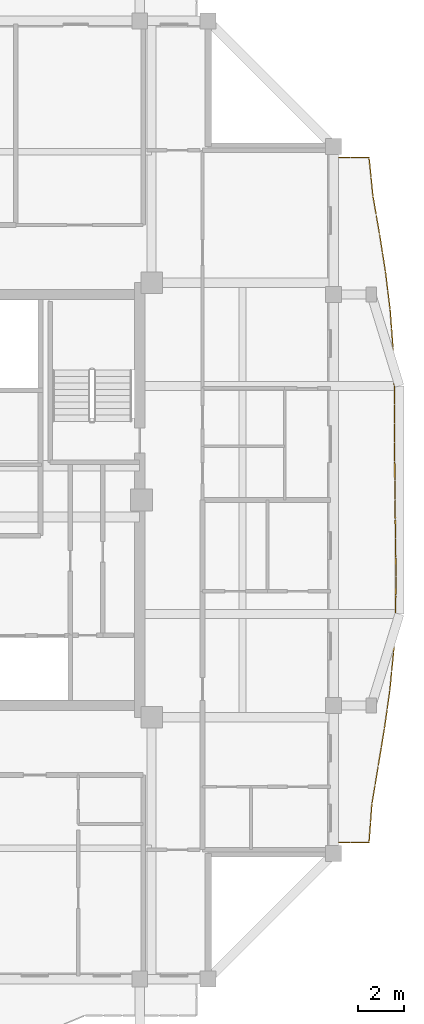
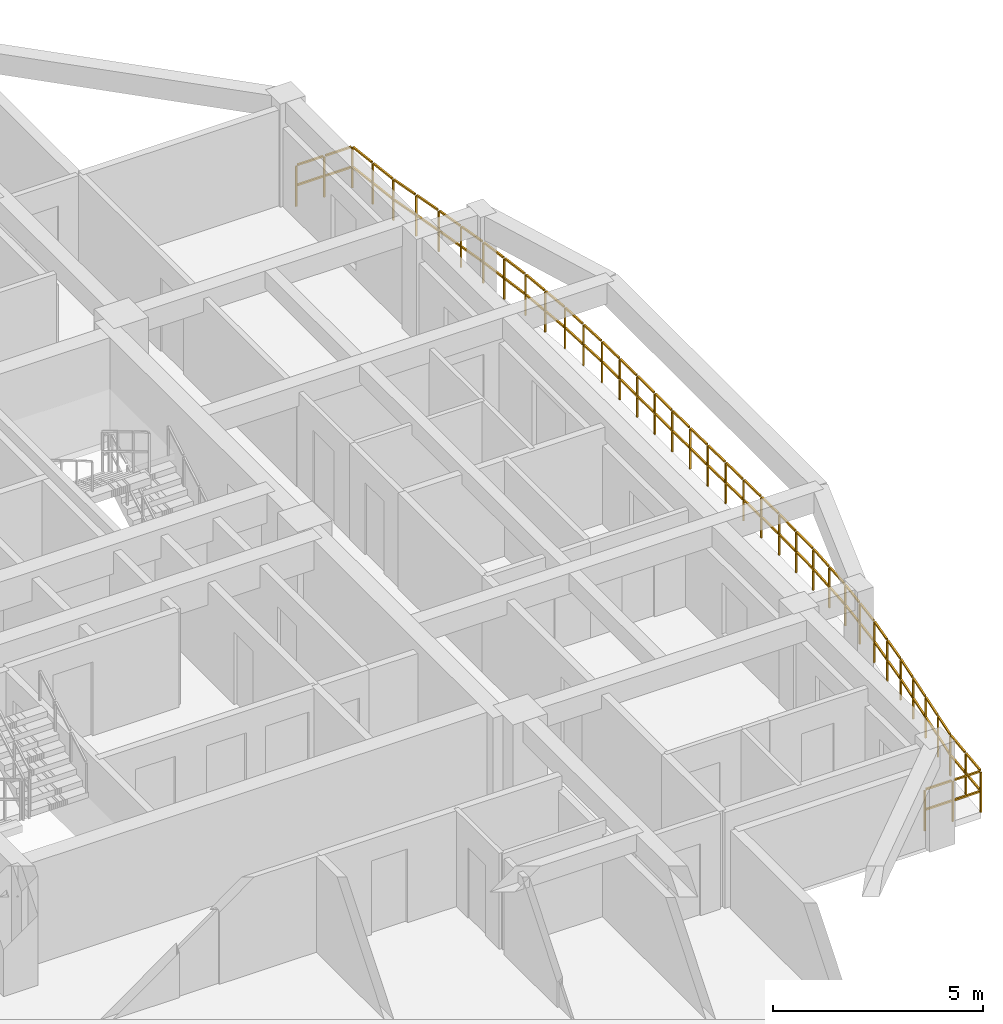
# One storey, part 11 of 12: 1 railing.
"""IFC4 building model written with IfcOpenShell, lengths in metres."""

from ifc_helpers import new_model, si_unit, direction, frame, origin, origin_2d, place, context, subcontext, project, spatial, rectangle, extrude, material, type_object, element, save


model = new_model("IFC4")

# Units and contexts
model_context = context("Model", 3, precision=1e-05, world=origin(), true_north=direction((0.0, 1.0)))
body_context = subcontext(model_context, "Body", "Model", "MODEL_VIEW")
ifc_project = project(units=[si_unit("LENGTHUNIT", "METRE"), si_unit("AREAUNIT", "SQUARE_METRE"), si_unit("VOLUMEUNIT", "CUBIC_METRE"), si_unit("PLANEANGLEUNIT", "RADIAN"), si_unit("MASSUNIT", "GRAM", prefix="KILO")], contexts=[model_context])

# Site, building, storey
site_placement = place(None, origin())
site = spatial("IfcSite", under=ifc_project, at=site_placement, CompositionType="ELEMENT")
building_placement = place(site_placement, origin())
building = spatial("IfcBuilding", under=site, at=building_placement, Name="Saelheon Loggia Tower", CompositionType="ELEMENT")
storey_placement = place(building_placement, frame((0.0, 0.0, 240.0)))
storey = spatial("IfcBuildingStorey", under=building, at=storey_placement, Name="L74", CompositionType="ELEMENT", Elevation=240.0)

# Railing
ifc_material = material(Name="Architectural Precast Concrete and Laminated Glass Guard", Category="concrete")
railing_type = type_object("IfcRailingType", Name="Guard_Loggia_RL_LOG", PredefinedType="BALUSTRADE", material=ifc_material)
railing_placement = place(storey_placement, frame((53.0, 12.0, 0.0)))
element("IfcRailing", 1, at=railing_placement, inside=storey, type_object=railing_type, Name="L74 East Loggia Balustrade", PredefinedType="BALUSTRADE", context=body_context, shape_type="SweptSolid", body=[
    extrude(rectangle(XDim=0.048095703125, YDim=0.048095703125, at=origin_2d()), frame((0.033203125, 0.0, 1.19580078125), z_axis=(1.0, 0.0, 0.0), x_axis=(0.0, 1.0, 0.0)), (0.0, 0.0, 1.0), 0.70849609375),
    extrude(rectangle(XDim=0.048095703125, YDim=0.048095703125, at=origin_2d()), frame((0.033203125, 0.0, 0.60986328125), z_axis=(1.0, 0.0, 0.0), x_axis=(0.0, 1.0, 0.0)), (0.0, 0.0, 1.0), 0.70849609375),
    extrude(rectangle(XDim=0.048095703125, YDim=0.048095703125, at=origin_2d()), frame((0.808349609375, 0.0, 1.19580078125), z_axis=(1.0, 0.0, 0.0), x_axis=(0.0, 1.0, 0.0)), (0.0, 0.0, 1.0), 0.70849609375),
    extrude(rectangle(XDim=0.048095703125, YDim=0.048095703125, at=origin_2d()), frame((0.808349609375, 0.0, 0.60986328125), z_axis=(1.0, 0.0, 0.0), x_axis=(0.0, 1.0, 0.0)), (0.0, 0.0, 1.0), 0.70849609375),
    extrude(rectangle(XDim=0.048095703125, YDim=0.048095703125, at=origin_2d()), frame((1.552490234375, 0.033203125, 1.19580078125), z_axis=(0.073624164853, 0.997286058435, 0.0), x_axis=(-0.997286058435, 0.073624164853, 0.0)), (0.0, 0.0, 1.0), 0.769287109375),
    extrude(rectangle(XDim=0.048095703125, YDim=0.048095703125, at=origin_2d()), frame((1.552490234375, 0.033203125, 0.60986328125), z_axis=(0.073624164853, 0.997286058435, 0.0), x_axis=(-0.997286058435, 0.073624164853, 0.0)), (0.0, 0.0, 1.0), 0.769287109375),
    extrude(rectangle(XDim=0.048095703125, YDim=0.048095703125, at=origin_2d()), frame((1.614013671875, 0.866455078125, 1.19580078125), z_axis=(0.073624164853, 0.997286058435, 0.0), x_axis=(-0.997286058435, 0.073624164853, 0.0)), (0.0, 0.0, 1.0), 0.769287109375),
    extrude(rectangle(XDim=0.048095703125, YDim=0.048095703125, at=origin_2d()), frame((1.614013671875, 0.866455078125, 0.60986328125), z_axis=(0.073624164853, 0.997286058435, 0.0), x_axis=(-0.997286058435, 0.073624164853, 0.0)), (0.0, 0.0, 1.0), 0.769287109375),
    extrude(rectangle(XDim=0.048095703125, YDim=0.048095703125, at=origin_2d()), frame((1.678466796875, 1.699462890625, 1.19580078125), z_axis=(0.164164640298, 0.986432953057, 0.0), x_axis=(-0.986432953057, 0.164164640298, 0.0)), (0.0, 0.0, 1.0), 0.7783203125),
    extrude(rectangle(XDim=0.048095703125, YDim=0.048095703125, at=origin_2d()), frame((1.678466796875, 1.699462890625, 0.60986328125), z_axis=(0.164164640298, 0.986432953057, 0.0), x_axis=(-0.986432953057, 0.164164640298, 0.0)), (0.0, 0.0, 1.0), 0.7783203125),
    extrude(rectangle(XDim=0.048095703125, YDim=0.048095703125, at=origin_2d()), frame((1.817138671875, 2.53271484375, 1.19580078125), z_axis=(0.164164640298, 0.986432953057, 0.0), x_axis=(-0.986432953057, 0.164164640298, 0.0)), (0.0, 0.0, 1.0), 0.7783203125),
    extrude(rectangle(XDim=0.048095703125, YDim=0.048095703125, at=origin_2d()), frame((1.817138671875, 2.53271484375, 0.60986328125), z_axis=(0.164164640298, 0.986432953057, 0.0), x_axis=(-0.986432953057, 0.164164640298, 0.0)), (0.0, 0.0, 1.0), 0.7783203125),
    extrude(rectangle(XDim=0.048095703125, YDim=0.048095703125, at=origin_2d()), frame((1.955810546875, 3.365966796875, 1.19580078125), z_axis=(0.163297476344, 0.986576876994, 0.0), x_axis=(-0.986576876994, 0.163297476344, 0.0)), (0.0, 0.0, 1.0), 0.7783203125),
    extrude(rectangle(XDim=0.048095703125, YDim=0.048095703125, at=origin_2d()), frame((1.955810546875, 3.365966796875, 0.60986328125), z_axis=(0.163297476344, 0.986576876994, 0.0), x_axis=(-0.986576876994, 0.163297476344, 0.0)), (0.0, 0.0, 1.0), 0.7783203125),
    extrude(rectangle(XDim=0.048095703125, YDim=0.048095703125, at=origin_2d()), frame((2.09375, 4.199462890625, 1.19580078125), z_axis=(0.163297476344, 0.986576876994, 0.0), x_axis=(-0.986576876994, 0.163297476344, 0.0)), (0.0, 0.0, 1.0), 0.7783203125),
    extrude(rectangle(XDim=0.048095703125, YDim=0.048095703125, at=origin_2d()), frame((2.09375, 4.199462890625, 0.60986328125), z_axis=(0.163297476344, 0.986576876994, 0.0), x_axis=(-0.986576876994, 0.163297476344, 0.0)), (0.0, 0.0, 1.0), 0.7783203125),
    extrude(rectangle(XDim=0.048095703125, YDim=0.048095703125, at=origin_2d()), frame((2.23095703125, 5.032958984375, 1.19580078125), z_axis=(0.139532622052, 0.990217474792, 0.0), x_axis=(-0.990217474792, 0.139532622052, 0.0)), (0.0, 0.0, 1.0), 0.775146484375),
    extrude(rectangle(XDim=0.048095703125, YDim=0.048095703125, at=origin_2d()), frame((2.23095703125, 5.032958984375, 0.60986328125), z_axis=(0.139532622052, 0.990217474792, 0.0), x_axis=(-0.990217474792, 0.139532622052, 0.0)), (0.0, 0.0, 1.0), 0.775146484375),
    extrude(rectangle(XDim=0.048095703125, YDim=0.048095703125, at=origin_2d()), frame((2.348388671875, 5.8662109375, 1.19580078125), z_axis=(0.139532622052, 0.990217474792, 0.0), x_axis=(-0.990217474792, 0.139532622052, 0.0)), (0.0, 0.0, 1.0), 0.775146484375),
    extrude(rectangle(XDim=0.048095703125, YDim=0.048095703125, at=origin_2d()), frame((2.348388671875, 5.8662109375, 0.60986328125), z_axis=(0.139532622052, 0.990217474792, 0.0), x_axis=(-0.990217474792, 0.139532622052, 0.0)), (0.0, 0.0, 1.0), 0.775146484375),
    extrude(rectangle(XDim=0.048095703125, YDim=0.048095703125, at=origin_2d()), frame((2.46435546875, 6.69970703125, 1.19580078125), z_axis=(0.097684686156, 0.995217414483, 0.0), x_axis=(-0.995217414483, 0.097684686156, 0.0)), (0.0, 0.0, 1.0), 0.770751953125),
    extrude(rectangle(XDim=0.048095703125, YDim=0.048095703125, at=origin_2d()), frame((2.46435546875, 6.69970703125, 0.60986328125), z_axis=(0.097684686156, 0.995217414483, 0.0), x_axis=(-0.995217414483, 0.097684686156, 0.0)), (0.0, 0.0, 1.0), 0.770751953125),
    extrude(rectangle(XDim=0.048095703125, YDim=0.048095703125, at=origin_2d()), frame((2.546142578125, 7.532958984375, 1.19580078125), z_axis=(0.097684686156, 0.995217414483, 0.0), x_axis=(-0.995217414483, 0.097684686156, 0.0)), (0.0, 0.0, 1.0), 0.770751953125),
    extrude(rectangle(XDim=0.048095703125, YDim=0.048095703125, at=origin_2d()), frame((2.546142578125, 7.532958984375, 0.60986328125), z_axis=(0.097684686156, 0.995217414483, 0.0), x_axis=(-0.995217414483, 0.097684686156, 0.0)), (0.0, 0.0, 1.0), 0.770751953125),
    extrude(rectangle(XDim=0.048095703125, YDim=0.048095703125, at=origin_2d()), frame((2.62646484375, 8.366455078125, 1.19580078125), z_axis=(0.050178396497, 0.998740270804, 0.0), x_axis=(-0.998740270804, 0.050178396497, 0.0)), (0.0, 0.0, 1.0), 0.76806640625),
    extrude(rectangle(XDim=0.048095703125, YDim=0.048095703125, at=origin_2d()), frame((2.62646484375, 8.366455078125, 0.60986328125), z_axis=(0.050178396497, 0.998740270804, 0.0), x_axis=(-0.998740270804, 0.050178396497, 0.0)), (0.0, 0.0, 1.0), 0.76806640625),
    extrude(rectangle(XDim=0.048095703125, YDim=0.048095703125, at=origin_2d()), frame((2.668212890625, 9.19970703125, 1.19580078125), z_axis=(0.050178396497, 0.998740270804, 0.0), x_axis=(-0.998740270804, 0.050178396497, 0.0)), (0.0, 0.0, 1.0), 0.76806640625),
    extrude(rectangle(XDim=0.048095703125, YDim=0.048095703125, at=origin_2d()), frame((2.668212890625, 9.19970703125, 0.60986328125), z_axis=(0.050178396497, 0.998740270804, 0.0), x_axis=(-0.998740270804, 0.050178396497, 0.0)), (0.0, 0.0, 1.0), 0.76806640625),
    extrude(rectangle(XDim=0.048095703125, YDim=0.048095703125, at=origin_2d()), frame((2.708740234375, 10.033203125, 1.19580078125), z_axis=(0.010692226024, 0.999942836517, 0.0), x_axis=(-0.999942836517, 0.010692226024, 0.0)), (0.0, 0.0, 1.0), 0.766845703125),
    extrude(rectangle(XDim=0.048095703125, YDim=0.048095703125, at=origin_2d()), frame((2.708740234375, 10.033203125, 0.60986328125), z_axis=(0.010692226024, 0.999942836517, 0.0), x_axis=(-0.999942836517, 0.010692226024, 0.0)), (0.0, 0.0, 1.0), 0.766845703125),
    extrude(rectangle(XDim=0.048095703125, YDim=0.048095703125, at=origin_2d()), frame((2.7177734375, 10.86669921875, 1.19580078125), z_axis=(0.010692226024, 0.999942836517, 0.0), x_axis=(-0.999942836517, 0.010692226024, 0.0)), (0.0, 0.0, 1.0), 0.766845703125),
    extrude(rectangle(XDim=0.048095703125, YDim=0.048095703125, at=origin_2d()), frame((2.7177734375, 10.86669921875, 0.60986328125), z_axis=(0.010692226024, 0.999942836517, 0.0), x_axis=(-0.999942836517, 0.010692226024, 0.0)), (0.0, 0.0, 1.0), 0.766845703125),
    extrude(rectangle(XDim=0.048095703125, YDim=0.048095703125, at=origin_2d()), frame((2.725830078125, 11.699951171875, 1.19580078125), z_axis=(-0.011279680844, 0.999936382376, 0.0), x_axis=(-0.999936382376, -0.011279680844, 0.0)), (0.0, 0.0, 1.0), 0.766845703125),
    extrude(rectangle(XDim=0.048095703125, YDim=0.048095703125, at=origin_2d()), frame((2.725830078125, 11.699951171875, 0.60986328125), z_axis=(-0.011279680844, 0.999936382376, 0.0), x_axis=(-0.999936382376, -0.011279680844, 0.0)), (0.0, 0.0, 1.0), 0.766845703125),
    extrude(rectangle(XDim=0.048095703125, YDim=0.048095703125, at=origin_2d()), frame((2.716552734375, 12.533203125, 1.19580078125), z_axis=(-0.011279680844, 0.999936382376, 0.0), x_axis=(-0.999936382376, -0.011279680844, 0.0)), (0.0, 0.0, 1.0), 0.766845703125),
    extrude(rectangle(XDim=0.048095703125, YDim=0.048095703125, at=origin_2d()), frame((2.716552734375, 12.533203125, 0.60986328125), z_axis=(-0.011279680844, 0.999936382376, 0.0), x_axis=(-0.999936382376, -0.011279680844, 0.0)), (0.0, 0.0, 1.0), 0.766845703125),
    extrude(rectangle(XDim=0.048095703125, YDim=0.048095703125, at=origin_2d()), frame((2.70703125, 13.366455078125, 1.19580078125), z_axis=(-0.014353289095, 0.99989698624, 0.0), x_axis=(-0.99989698624, -0.014353289095, 0.0)), (0.0, 0.0, 1.0), 0.76708984375),
    extrude(rectangle(XDim=0.048095703125, YDim=0.048095703125, at=origin_2d()), frame((2.70703125, 13.366455078125, 0.60986328125), z_axis=(-0.014353289095, 0.99989698624, 0.0), x_axis=(-0.99989698624, -0.014353289095, 0.0)), (0.0, 0.0, 1.0), 0.76708984375),
    extrude(rectangle(XDim=0.048095703125, YDim=0.048095703125, at=origin_2d()), frame((2.695068359375, 14.199951171875, 1.19580078125), z_axis=(-0.014353289095, 0.99989698624, 0.0), x_axis=(-0.99989698624, -0.014353289095, 0.0)), (0.0, 0.0, 1.0), 0.76708984375),
    extrude(rectangle(XDim=0.048095703125, YDim=0.048095703125, at=origin_2d()), frame((2.695068359375, 14.199951171875, 0.60986328125), z_axis=(-0.014353289095, 0.99989698624, 0.0), x_axis=(-0.99989698624, -0.014353289095, 0.0)), (0.0, 0.0, 1.0), 0.76708984375),
    extrude(rectangle(XDim=0.048095703125, YDim=0.048095703125, at=origin_2d()), frame((2.683349609375, 15.033203125, 1.19580078125), z_axis=(-0.007030732919, 0.999975284092, 0.0), x_axis=(-0.999975284092, -0.007030732919, 0.0)), (0.0, 0.0, 1.0), 0.766845703125),
    extrude(rectangle(XDim=0.048095703125, YDim=0.048095703125, at=origin_2d()), frame((2.683349609375, 15.033203125, 0.60986328125), z_axis=(-0.007030732919, 0.999975284092, 0.0), x_axis=(-0.999975284092, -0.007030732919, 0.0)), (0.0, 0.0, 1.0), 0.766845703125),
    extrude(rectangle(XDim=0.048095703125, YDim=0.048095703125, at=origin_2d()), frame((2.677490234375, 15.86669921875, 1.19580078125), z_axis=(-0.007030732919, 0.999975284092, 0.0), x_axis=(-0.999975284092, -0.007030732919, 0.0)), (0.0, 0.0, 1.0), 0.766845703125),
    extrude(rectangle(XDim=0.048095703125, YDim=0.048095703125, at=origin_2d()), frame((2.677490234375, 15.86669921875, 0.60986328125), z_axis=(-0.007030732919, 0.999975284092, 0.0), x_axis=(-0.999975284092, -0.007030732919, 0.0)), (0.0, 0.0, 1.0), 0.766845703125),
    extrude(rectangle(XDim=0.048095703125, YDim=0.048095703125, at=origin_2d()), frame((2.671875, 16.699951171875, 1.19580078125), z_axis=(-0.00087899175, 0.999999613687, 0.0), x_axis=(-0.999999613687, -0.00087899175, 0.0)), (0.0, 0.0, 1.0), 0.766845703125),
    extrude(rectangle(XDim=0.048095703125, YDim=0.048095703125, at=origin_2d()), frame((2.671875, 16.699951171875, 0.60986328125), z_axis=(-0.00087899175, 0.999999613687, 0.0), x_axis=(-0.999999613687, -0.00087899175, 0.0)), (0.0, 0.0, 1.0), 0.766845703125),
    extrude(rectangle(XDim=0.048095703125, YDim=0.048095703125, at=origin_2d()), frame((2.671142578125, 17.533203125, 1.19580078125), z_axis=(-0.00087899175, 0.999999613687, 0.0), x_axis=(-0.999999613687, -0.00087899175, 0.0)), (0.0, 0.0, 1.0), 0.766845703125),
    extrude(rectangle(XDim=0.048095703125, YDim=0.048095703125, at=origin_2d()), frame((2.671142578125, 17.533203125, 0.60986328125), z_axis=(-0.00087899175, 0.999999613687, 0.0), x_axis=(-0.999999613687, -0.00087899175, 0.0)), (0.0, 0.0, 1.0), 0.766845703125),
    extrude(rectangle(XDim=0.048095703125, YDim=0.048095703125, at=origin_2d()), frame((2.670166015625, 18.366455078125, 1.19580078125), z_axis=(-0.008348910706, 0.999965147238, 0.0), x_axis=(-0.999965147238, -0.008348910706, 0.0)), (0.0, 0.0, 1.0), 0.766845703125),
    extrude(rectangle(XDim=0.048095703125, YDim=0.048095703125, at=origin_2d()), frame((2.670166015625, 18.366455078125, 0.60986328125), z_axis=(-0.008348910706, 0.999965147238, 0.0), x_axis=(-0.999965147238, -0.008348910706, 0.0)), (0.0, 0.0, 1.0), 0.766845703125),
    extrude(rectangle(XDim=0.048095703125, YDim=0.048095703125, at=origin_2d()), frame((2.6630859375, 19.199951171875, 1.19580078125), z_axis=(-0.008348910706, 0.999965147238, 0.0), x_axis=(-0.999965147238, -0.008348910706, 0.0)), (0.0, 0.0, 1.0), 0.766845703125),
    extrude(rectangle(XDim=0.048095703125, YDim=0.048095703125, at=origin_2d()), frame((2.6630859375, 19.199951171875, 0.60986328125), z_axis=(-0.008348910706, 0.999965147238, 0.0), x_axis=(-0.999965147238, -0.008348910706, 0.0)), (0.0, 0.0, 1.0), 0.766845703125),
    extrude(rectangle(XDim=0.048095703125, YDim=0.048095703125, at=origin_2d()), frame((2.6552734375, 20.033203125, 1.19580078125), z_axis=(-0.034109333385, 0.999418107388, 0.0), x_axis=(-0.999418107388, -0.034109333385, 0.0)), (0.0, 0.0, 1.0), 0.767333984375),
    extrude(rectangle(XDim=0.048095703125, YDim=0.048095703125, at=origin_2d()), frame((2.6552734375, 20.033203125, 0.60986328125), z_axis=(-0.034109333385, 0.999418107388, 0.0), x_axis=(-0.999418107388, -0.034109333385, 0.0)), (0.0, 0.0, 1.0), 0.767333984375),
    extrude(rectangle(XDim=0.048095703125, YDim=0.048095703125, at=origin_2d()), frame((2.626953125, 20.86669921875, 1.19580078125), z_axis=(-0.034109333385, 0.999418107388, 0.0), x_axis=(-0.999418107388, -0.034109333385, 0.0)), (0.0, 0.0, 1.0), 0.767333984375),
    extrude(rectangle(XDim=0.048095703125, YDim=0.048095703125, at=origin_2d()), frame((2.626953125, 20.86669921875, 0.60986328125), z_axis=(-0.034109333385, 0.999418107388, 0.0), x_axis=(-0.999418107388, -0.034109333385, 0.0)), (0.0, 0.0, 1.0), 0.767333984375),
    extrude(rectangle(XDim=0.048095703125, YDim=0.048095703125, at=origin_2d()), frame((2.59716796875, 21.699951171875, 1.19580078125), z_axis=(-0.075523507059, 0.997144021635, 0.0), x_axis=(-0.997144021635, -0.075523507059, 0.0)), (0.0, 0.0, 1.0), 0.769287109375),
    extrude(rectangle(XDim=0.048095703125, YDim=0.048095703125, at=origin_2d()), frame((2.59716796875, 21.699951171875, 0.60986328125), z_axis=(-0.075523507059, 0.997144021635, 0.0), x_axis=(-0.997144021635, -0.075523507059, 0.0)), (0.0, 0.0, 1.0), 0.769287109375),
    extrude(rectangle(XDim=0.048095703125, YDim=0.048095703125, at=origin_2d()), frame((2.533935546875, 22.533203125, 1.19580078125), z_axis=(-0.075523507059, 0.997144021635, 0.0), x_axis=(-0.997144021635, -0.075523507059, 0.0)), (0.0, 0.0, 1.0), 0.769287109375),
    extrude(rectangle(XDim=0.048095703125, YDim=0.048095703125, at=origin_2d()), frame((2.533935546875, 22.533203125, 0.60986328125), z_axis=(-0.075523507059, 0.997144021635, 0.0), x_axis=(-0.997144021635, -0.075523507059, 0.0)), (0.0, 0.0, 1.0), 0.769287109375),
    extrude(rectangle(XDim=0.048095703125, YDim=0.048095703125, at=origin_2d()), frame((2.469482421875, 23.3662109375, 1.19580078125), z_axis=(-0.12054414894, 0.992707967207, 0.0), x_axis=(-0.992707967207, -0.12054414894, 0.0)), (0.0, 0.0, 1.0), 0.77294921875),
    extrude(rectangle(XDim=0.048095703125, YDim=0.048095703125, at=origin_2d()), frame((2.469482421875, 23.3662109375, 0.60986328125), z_axis=(-0.12054414894, 0.992707967207, 0.0), x_axis=(-0.992707967207, -0.12054414894, 0.0)), (0.0, 0.0, 1.0), 0.77294921875),
    extrude(rectangle(XDim=0.048095703125, YDim=0.048095703125, at=origin_2d()), frame((2.3681640625, 24.19970703125, 1.19580078125), z_axis=(-0.12054414894, 0.992707967207, 0.0), x_axis=(-0.992707967207, -0.12054414894, 0.0)), (0.0, 0.0, 1.0), 0.77294921875),
    extrude(rectangle(XDim=0.048095703125, YDim=0.048095703125, at=origin_2d()), frame((2.3681640625, 24.19970703125, 0.60986328125), z_axis=(-0.12054414894, 0.992707967207, 0.0), x_axis=(-0.992707967207, -0.12054414894, 0.0)), (0.0, 0.0, 1.0), 0.77294921875),
    extrude(rectangle(XDim=0.048095703125, YDim=0.048095703125, at=origin_2d()), frame((2.265869140625, 25.03271484375, 1.19580078125), z_axis=(-0.155970003219, 0.987761792183, 0.0), x_axis=(-0.987761792183, -0.155970003219, 0.0)), (0.0, 0.0, 1.0), 0.77734375),
    extrude(rectangle(XDim=0.048095703125, YDim=0.048095703125, at=origin_2d()), frame((2.265869140625, 25.03271484375, 0.60986328125), z_axis=(-0.155970003219, 0.987761792183, 0.0), x_axis=(-0.987761792183, -0.155970003219, 0.0)), (0.0, 0.0, 1.0), 0.77734375),
    extrude(rectangle(XDim=0.048095703125, YDim=0.048095703125, at=origin_2d()), frame((2.13427734375, 25.8662109375, 1.19580078125), z_axis=(-0.155970003219, 0.987761792183, 0.0), x_axis=(-0.987761792183, -0.155970003219, 0.0)), (0.0, 0.0, 1.0), 0.77734375),
    extrude(rectangle(XDim=0.048095703125, YDim=0.048095703125, at=origin_2d()), frame((2.13427734375, 25.8662109375, 0.60986328125), z_axis=(-0.155970003219, 0.987761792183, 0.0), x_axis=(-0.987761792183, -0.155970003219, 0.0)), (0.0, 0.0, 1.0), 0.77734375),
    extrude(rectangle(XDim=0.048095703125, YDim=0.048095703125, at=origin_2d()), frame((2.002197265625, 26.699462890625, 1.19580078125), z_axis=(-0.171042688029, 0.985263618973, 0.0), x_axis=(-0.985263618973, -0.171042688029, 0.0)), (0.0, 0.0, 1.0), 0.779296875),
    extrude(rectangle(XDim=0.048095703125, YDim=0.048095703125, at=origin_2d()), frame((2.002197265625, 26.699462890625, 0.60986328125), z_axis=(-0.171042688029, 0.985263618973, 0.0), x_axis=(-0.985263618973, -0.171042688029, 0.0)), (0.0, 0.0, 1.0), 0.779296875),
    extrude(rectangle(XDim=0.048095703125, YDim=0.048095703125, at=origin_2d()), frame((1.857421875, 27.53271484375, 1.19580078125), z_axis=(-0.171042688029, 0.985263618973, 0.0), x_axis=(-0.985263618973, -0.171042688029, 0.0)), (0.0, 0.0, 1.0), 0.779296875),
    extrude(rectangle(XDim=0.048095703125, YDim=0.048095703125, at=origin_2d()), frame((1.857421875, 27.53271484375, 0.60986328125), z_axis=(-0.171042688029, 0.985263618973, 0.0), x_axis=(-0.985263618973, -0.171042688029, 0.0)), (0.0, 0.0, 1.0), 0.779296875),
    extrude(rectangle(XDim=0.048095703125, YDim=0.048095703125, at=origin_2d()), frame((1.715087890625, 28.3662109375, 1.19580078125), z_axis=(-0.100556993811, 0.994931299636, 0.0), x_axis=(-0.994931299636, -0.100556993811, 0.0)), (0.0, 0.0, 1.0), 0.771240234375),
    extrude(rectangle(XDim=0.048095703125, YDim=0.048095703125, at=origin_2d()), frame((1.715087890625, 28.3662109375, 0.60986328125), z_axis=(-0.100556993811, 0.994931299636, 0.0), x_axis=(-0.994931299636, -0.100556993811, 0.0)), (0.0, 0.0, 1.0), 0.771240234375),
    extrude(rectangle(XDim=0.048095703125, YDim=0.048095703125, at=origin_2d()), frame((1.630859375, 29.19970703125, 1.19580078125), z_axis=(-0.100556993811, 0.994931299636, 0.0), x_axis=(-0.994931299636, -0.100556993811, 0.0)), (0.0, 0.0, 1.0), 0.771240234375),
    extrude(rectangle(XDim=0.048095703125, YDim=0.048095703125, at=origin_2d()), frame((1.630859375, 29.19970703125, 0.60986328125), z_axis=(-0.100556993811, 0.994931299636, 0.0), x_axis=(-0.994931299636, -0.100556993811, 0.0)), (0.0, 0.0, 1.0), 0.771240234375),
    extrude(rectangle(XDim=0.048095703125, YDim=0.048095703125, at=origin_2d()), frame((1.516845703125, 30.0, 1.19580078125), z_axis=(-1.0, 0.0, 0.0), x_axis=(0.0, -1.0, 0.0)), (0.0, 0.0, 1.0), 0.70849609375),
    extrude(rectangle(XDim=0.048095703125, YDim=0.048095703125, at=origin_2d()), frame((1.516845703125, 30.0, 0.60986328125), z_axis=(-1.0, 0.0, 0.0), x_axis=(0.0, -1.0, 0.0)), (0.0, 0.0, 1.0), 0.70849609375),
    extrude(rectangle(XDim=0.048095703125, YDim=0.048095703125, at=origin_2d()), frame((0.74169921875, 30.0, 1.19580078125), z_axis=(-1.0, 0.0, 0.0), x_axis=(0.0, -1.0, 0.0)), (0.0, 0.0, 1.0), 0.70849609375),
    extrude(rectangle(XDim=0.048095703125, YDim=0.048095703125, at=origin_2d()), frame((0.74169921875, 30.0, 0.60986328125), z_axis=(-1.0, 0.0, 0.0), x_axis=(0.0, -1.0, 0.0)), (0.0, 0.0, 1.0), 0.70849609375),
    extrude(rectangle(XDim=0.0419921875, YDim=0.0419921875, at=origin_2d()), origin(), (0.0, 0.0, 1.0), 1.16796875),
    extrude(rectangle(XDim=0.0419921875, YDim=0.0419921875, at=origin_2d()), frame((0.77490234375, 0.0, 0.0)), (0.0, 0.0, 1.0), 1.16796875),
    extrude(rectangle(XDim=0.0419921875, YDim=0.0419921875, at=origin_2d()), frame((1.550048828125, 0.0, 0.0)), (0.0, 0.0, 1.0), 1.16796875),
    extrude(rectangle(XDim=0.0419921875, YDim=0.0419921875, at=origin_2d()), frame((1.611572265625, 0.83349609375, 0.0)), (0.0, 0.0, 1.0), 1.16796875),
    extrude(rectangle(XDim=0.0419921875, YDim=0.0419921875, at=origin_2d()), frame((1.673095703125, 1.666748046875, 0.0)), (0.0, 0.0, 1.0), 1.16796875),
    extrude(rectangle(XDim=0.0419921875, YDim=0.0419921875, at=origin_2d()), frame((1.811767578125, 2.5, 0.0)), (0.0, 0.0, 1.0), 1.16796875),
    extrude(rectangle(XDim=0.0419921875, YDim=0.0419921875, at=origin_2d()), frame((1.950439453125, 3.333251953125, 0.0)), (0.0, 0.0, 1.0), 1.16796875),
    extrude(rectangle(XDim=0.0419921875, YDim=0.0419921875, at=origin_2d()), frame((2.08837890625, 4.16650390625, 0.0)), (0.0, 0.0, 1.0), 1.16796875),
    extrude(rectangle(XDim=0.0419921875, YDim=0.0419921875, at=origin_2d()), frame((2.226318359375, 5.0, 0.0)), (0.0, 0.0, 1.0), 1.16796875),
    extrude(rectangle(XDim=0.0419921875, YDim=0.0419921875, at=origin_2d()), frame((2.34375, 5.83349609375, 0.0)), (0.0, 0.0, 1.0), 1.16796875),
    extrude(rectangle(XDim=0.0419921875, YDim=0.0419921875, at=origin_2d()), frame((2.461181640625, 6.666748046875, 0.0)), (0.0, 0.0, 1.0), 1.16796875),
    extrude(rectangle(XDim=0.0419921875, YDim=0.0419921875, at=origin_2d()), frame((2.54296875, 7.5, 0.0)), (0.0, 0.0, 1.0), 1.16796875),
    extrude(rectangle(XDim=0.0419921875, YDim=0.0419921875, at=origin_2d()), frame((2.624755859375, 8.333251953125, 0.0)), (0.0, 0.0, 1.0), 1.16796875),
    extrude(rectangle(XDim=0.0419921875, YDim=0.0419921875, at=origin_2d()), frame((2.66650390625, 9.16650390625, 0.0)), (0.0, 0.0, 1.0), 1.16796875),
    extrude(rectangle(XDim=0.0419921875, YDim=0.0419921875, at=origin_2d()), frame((2.70849609375, 10.0, 0.0)), (0.0, 0.0, 1.0), 1.16796875),
    extrude(rectangle(XDim=0.0419921875, YDim=0.0419921875, at=origin_2d()), frame((2.71728515625, 10.83349609375, 0.0)), (0.0, 0.0, 1.0), 1.16796875),
    extrude(rectangle(XDim=0.0419921875, YDim=0.0419921875, at=origin_2d()), frame((2.726318359375, 11.666748046875, 0.0)), (0.0, 0.0, 1.0), 1.16796875),
    extrude(rectangle(XDim=0.0419921875, YDim=0.0419921875, at=origin_2d()), frame((2.716796875, 12.5, 0.0)), (0.0, 0.0, 1.0), 1.16796875),
    extrude(rectangle(XDim=0.0419921875, YDim=0.0419921875, at=origin_2d()), frame((2.70751953125, 13.333251953125, 0.0)), (0.0, 0.0, 1.0), 1.16796875),
    extrude(rectangle(XDim=0.0419921875, YDim=0.0419921875, at=origin_2d()), frame((2.695556640625, 14.16650390625, 0.0)), (0.0, 0.0, 1.0), 1.16796875),
    extrude(rectangle(XDim=0.0419921875, YDim=0.0419921875, at=origin_2d()), frame((2.68359375, 15.0, 0.0)), (0.0, 0.0, 1.0), 1.16796875),
    extrude(rectangle(XDim=0.0419921875, YDim=0.0419921875, at=origin_2d()), frame((2.677734375, 15.83349609375, 0.0)), (0.0, 0.0, 1.0), 1.16796875),
    extrude(rectangle(XDim=0.0419921875, YDim=0.0419921875, at=origin_2d()), frame((2.671875, 16.666748046875, 0.0)), (0.0, 0.0, 1.0), 1.16796875),
    extrude(rectangle(XDim=0.0419921875, YDim=0.0419921875, at=origin_2d()), frame((2.671142578125, 17.5, 0.0)), (0.0, 0.0, 1.0), 1.16796875),
    extrude(rectangle(XDim=0.0419921875, YDim=0.0419921875, at=origin_2d()), frame((2.67041015625, 18.333251953125, 0.0)), (0.0, 0.0, 1.0), 1.16796875),
    extrude(rectangle(XDim=0.0419921875, YDim=0.0419921875, at=origin_2d()), frame((2.66357421875, 19.16650390625, 0.0)), (0.0, 0.0, 1.0), 1.16796875),
    extrude(rectangle(XDim=0.0419921875, YDim=0.0419921875, at=origin_2d()), frame((2.656494140625, 20.0, 0.0)), (0.0, 0.0, 1.0), 1.16796875),
    extrude(rectangle(XDim=0.0419921875, YDim=0.0419921875, at=origin_2d()), frame((2.6279296875, 20.83349609375, 0.0)), (0.0, 0.0, 1.0), 1.16796875),
    extrude(rectangle(XDim=0.0419921875, YDim=0.0419921875, at=origin_2d()), frame((2.599609375, 21.666748046875, 0.0)), (0.0, 0.0, 1.0), 1.16796875),
    extrude(rectangle(XDim=0.0419921875, YDim=0.0419921875, at=origin_2d()), frame((2.53662109375, 22.5, 0.0)), (0.0, 0.0, 1.0), 1.16796875),
    extrude(rectangle(XDim=0.0419921875, YDim=0.0419921875, at=origin_2d()), frame((2.473388671875, 23.333251953125, 0.0)), (0.0, 0.0, 1.0), 1.16796875),
    extrude(rectangle(XDim=0.0419921875, YDim=0.0419921875, at=origin_2d()), frame((2.3720703125, 24.16650390625, 0.0)), (0.0, 0.0, 1.0), 1.16796875),
    extrude(rectangle(XDim=0.0419921875, YDim=0.0419921875, at=origin_2d()), frame((2.27099609375, 25.0, 0.0)), (0.0, 0.0, 1.0), 1.16796875),
    extrude(rectangle(XDim=0.0419921875, YDim=0.0419921875, at=origin_2d()), frame((2.139404296875, 25.83349609375, 0.0)), (0.0, 0.0, 1.0), 1.16796875),
    extrude(rectangle(XDim=0.0419921875, YDim=0.0419921875, at=origin_2d()), frame((2.0078125, 26.666748046875, 0.0)), (0.0, 0.0, 1.0), 1.16796875),
    extrude(rectangle(XDim=0.0419921875, YDim=0.0419921875, at=origin_2d()), frame((1.86328125, 27.5, 0.0)), (0.0, 0.0, 1.0), 1.16796875),
    extrude(rectangle(XDim=0.0419921875, YDim=0.0419921875, at=origin_2d()), frame((1.718505859375, 28.333251953125, 0.0)), (0.0, 0.0, 1.0), 1.16796875),
    extrude(rectangle(XDim=0.0419921875, YDim=0.0419921875, at=origin_2d()), frame((1.63427734375, 29.16650390625, 0.0)), (0.0, 0.0, 1.0), 1.16796875),
    extrude(rectangle(XDim=0.0419921875, YDim=0.0419921875, at=origin_2d()), frame((1.550048828125, 30.0, 0.0)), (0.0, 0.0, 1.0), 1.16796875),
    extrude(rectangle(XDim=0.0419921875, YDim=0.0419921875, at=origin_2d()), frame((0.77490234375, 30.0, 0.0)), (0.0, 0.0, 1.0), 1.16796875),
    extrude(rectangle(XDim=0.0419921875, YDim=0.0419921875, at=origin_2d()), frame((0.0, 30.0, 0.0)), (0.0, 0.0, 1.0), 1.16796875),
])

save(model, "model.ifc")
